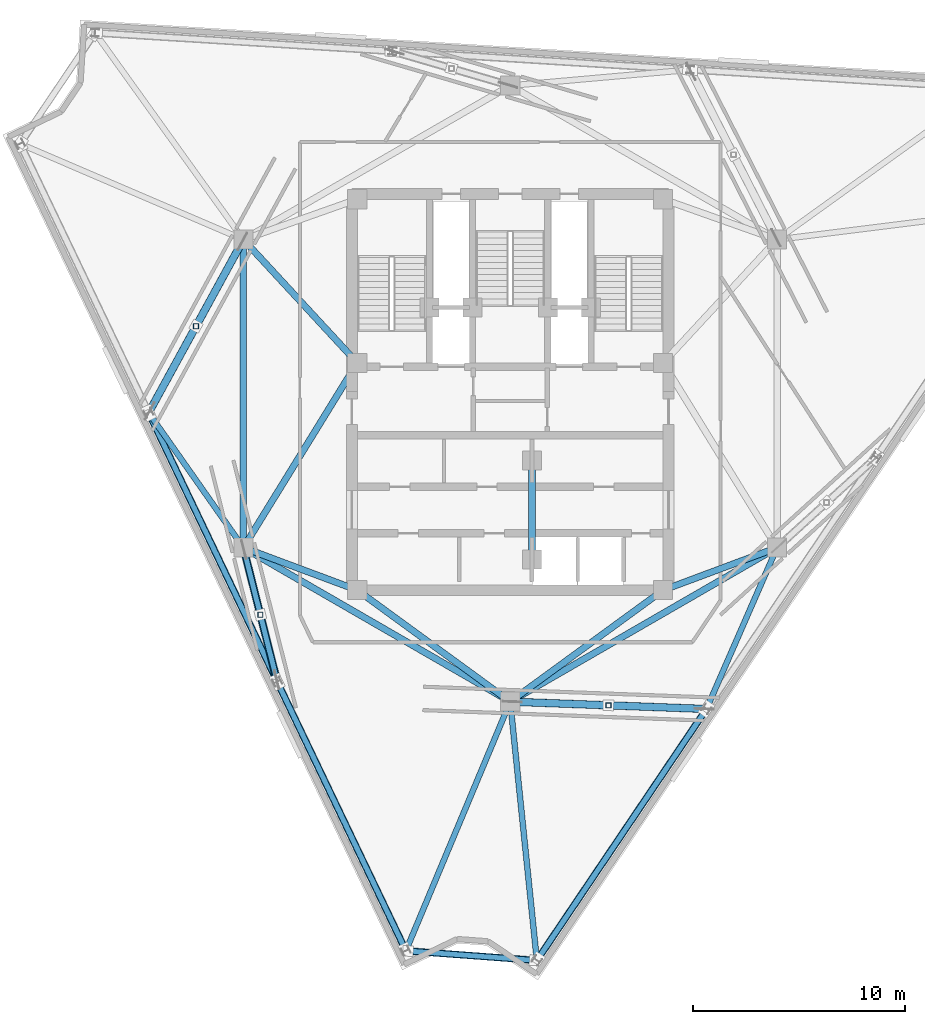
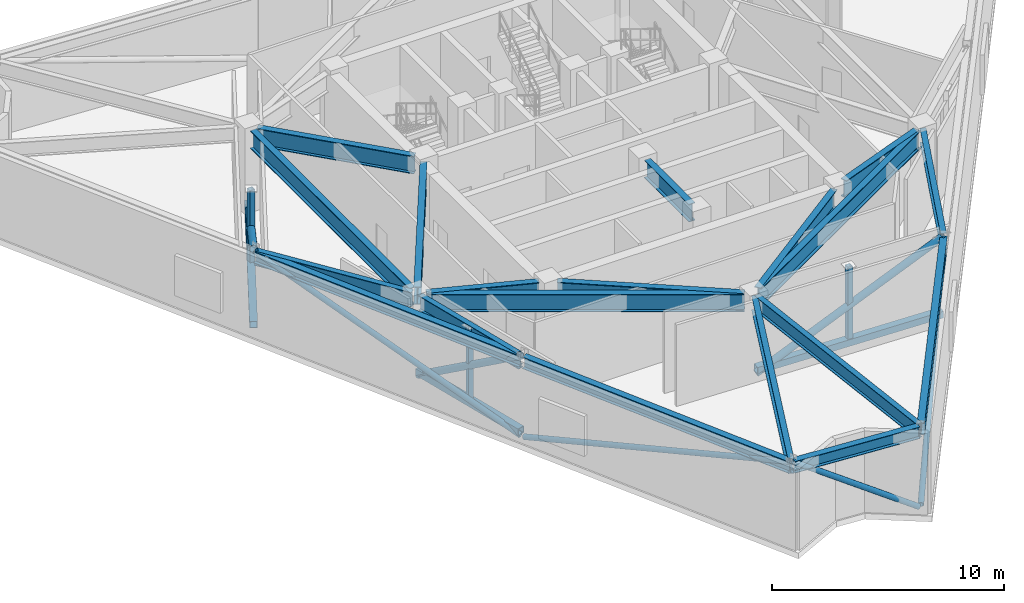
# One storey, part 4 of 11: 19 beams, 13 members.
"""IFC4 building model written with IfcOpenShell, lengths in metres."""

from ifc_helpers import new_model, si_unit, direction, frame, origin, origin_2d, place, context, subcontext, project, spatial, hollow_rectangle, hollow_circle, i_section, extrude, material, material_profile, profile_set, type_object, element, save


model = new_model("IFC4")

# Units and contexts
model_context = context("Model", 3, precision=1e-05, world=origin(), true_north=direction((0.0, 1.0)))
body_context = subcontext(model_context, "Body", "Model", "MODEL_VIEW")
ifc_project = project(units=[si_unit("LENGTHUNIT", "METRE"), si_unit("AREAUNIT", "SQUARE_METRE"), si_unit("VOLUMEUNIT", "CUBIC_METRE"), si_unit("PLANEANGLEUNIT", "RADIAN"), si_unit("MASSUNIT", "GRAM", prefix="KILO")], contexts=[model_context])

# Site, building, storey
site_placement = place(None, origin())
site = spatial("IfcSite", under=ifc_project, at=site_placement, CompositionType="ELEMENT")
building_placement = place(site_placement, origin())
building = spatial("IfcBuilding", under=site, at=building_placement, Name="Apsidion Concourse Tower", CompositionType="ELEMENT")
storey_placement = place(building_placement, frame((0.0, 0.0, 328.0)))
storey = spatial("IfcBuildingStorey", under=building, at=storey_placement, Name="L77", CompositionType="ELEMENT", Elevation=328.0)

# Beams
ifc_material_1 = material(Name="Structural steel ASTM A992 Grade 50", Category="steel")
ifc_material_profile_1 = material_profile(ifc_material_1, i_section(OverallWidth=0.31005859375, OverallDepth=0.931884765625, WebThickness=0.02099609375, FlangeThickness=0.034423828125, at=origin_2d()), Name="W36X210")
ifc_profile_set_1 = profile_set([ifc_material_profile_1], Name="Structural steel ASTM A992 Grade 50")
beam_type_1 = type_object("IfcBeamType", Name="BM-G-W36", PredefinedType="USERDEFINED", material=ifc_profile_set_1)
beam_1_placement = place(storey_placement, frame((-12.185302734375, -7.389892578125, 3.81396484375), z_axis=(0.936913021145, -0.349562570664, 0.0), x_axis=(0.349562570664, 0.936913021145, 0.0)))
element("IfcBeam", 1, at=beam_1_placement, inside=storey, type_object=beam_type_1, Name="L77 Core Coupling Girder IC1-SC1", ObjectType="GIRDER", PredefinedType="USERDEFINED", context=body_context, shape_type="SweptSolid", body=[
    extrude(i_section(OverallWidth=0.31005859375, OverallDepth=0.931884765625, WebThickness=0.02099609375, FlangeThickness=0.034423828125, at=origin_2d()), origin(), (0.0, 0.0, 1.0), 4.921142578125),
])
beam_2_placement = place(storey_placement, frame((-12.35009765625, -6.909423828125, 3.81396484375), z_axis=(0.524524009763, 0.851395656074, 0.0), x_axis=(-0.851395656074, 0.524524009763, 0.0)))
element("IfcBeam", 2, at=beam_2_placement, inside=storey, type_object=beam_type_1, Name="L77 Core Coupling Girder IC1-SC6", ObjectType="GIRDER", PredefinedType="USERDEFINED", context=body_context, shape_type="SweptSolid", body=[
    extrude(i_section(OverallWidth=0.31005859375, OverallDepth=0.931884765625, WebThickness=0.02099609375, FlangeThickness=0.034423828125, at=origin_2d()), origin(), (0.0, 0.0, 1.0), 9.41845703125),
])
beam_3_placement = place(storey_placement, frame((12.185302734375, -7.389892578125, 3.81396484375), z_axis=(-0.936913021145, -0.349562570664, 0.0), x_axis=(0.349562570664, -0.936913021145, 0.0)))
element("IfcBeam", 3, at=beam_3_placement, inside=storey, type_object=beam_type_1, Name="L77 Core Coupling Girder IC2-SC2", ObjectType="GIRDER", PredefinedType="USERDEFINED", context=body_context, shape_type="SweptSolid", body=[
    extrude(i_section(OverallWidth=0.31005859375, OverallDepth=0.931884765625, WebThickness=0.02099609375, FlangeThickness=0.034423828125, at=origin_2d()), origin(), (0.0, 0.0, 1.0), 4.921142578125),
])
beam_4_placement = place(storey_placement, frame((-12.28857421875, 6.956298828125, 3.81396484375), z_axis=(0.678712876106, -0.73440372535, 0.0), x_axis=(0.73440372535, 0.678712876106, 0.0)))
element("IfcBeam", 4, at=beam_4_placement, inside=storey, type_object=beam_type_1, Name="L77 Core Coupling Girder IC5-SC6", ObjectType="GIRDER", PredefinedType="USERDEFINED", context=body_context, shape_type="SweptSolid", body=[
    extrude(i_section(OverallWidth=0.31005859375, OverallDepth=0.931884765625, WebThickness=0.02099609375, FlangeThickness=0.034423828125, at=origin_2d()), origin(), (0.0, 0.0, 1.0), 7.097412109375),
])
for number, where, z_axis, x_axis, name in (
    (5, (-0.3232421875, -14.264404296875, 3.81396484375), (-0.807993498909, 0.589191399905, 0.0), (-0.589191399905, -0.807993498909, 0.0), "L77 Core Coupling Girder IC6-SC1"),
    (6, (0.3232421875, -14.264404296875, 3.81396484375), (0.807993498909, 0.589191399905, 0.0), (-0.589191399905, 0.807993498909, 0.0), "L77 Core Coupling Girder IC6-SC2"),
):
    element("IfcBeam", number, at=place(storey_placement, frame(where, z_axis=z_axis, x_axis=x_axis)), inside=storey, type_object=beam_type_1, Name=name, ObjectType="GIRDER", PredefinedType="USERDEFINED", context=body_context, shape_type="SweptSolid", body=[
        extrude(i_section(OverallWidth=0.31005859375, OverallDepth=0.931884765625, WebThickness=0.02099609375, FlangeThickness=0.034423828125, at=origin_2d()), origin(), (0.0, 0.0, 1.0), 8.11083984375),
    ])
beam_5_placement = place(storey_placement, frame((-12.56005859375, -6.85009765625, 3.81396484375), z_axis=(0.0, 1.0, 0.0), x_axis=(-1.0, 0.0, 0.0)))
element("IfcBeam", 7, at=beam_5_placement, inside=storey, type_object=beam_type_1, Name="L77 Core Coupling Girder IC1-IC5", ObjectType="GIRDER", PredefinedType="USERDEFINED", context=body_context, shape_type="SweptSolid", body=[
    extrude(i_section(OverallWidth=0.31005859375, OverallDepth=0.931884765625, WebThickness=0.02099609375, FlangeThickness=0.034423828125, at=origin_2d()), origin(), (0.0, 0.0, 1.0), 13.7001953125),
])
for number, where, z_axis, x_axis, name in (
    (8, (12.213623046875, -7.449951171875, 3.81396484375), (-0.866070471464, -0.499921932364, 0.0), (0.499921932364, -0.866070471464, 0.0), "L77 Core Coupling Girder IC2-IC6"),
    (9, (-0.346435546875, -14.300048828125, 3.81396484375), (-0.866070471464, 0.499921932364, 0.0), (-0.499921932364, -0.866070471464, 0.0), "L77 Core Coupling Girder IC6-IC1"),
):
    element("IfcBeam", number, at=place(storey_placement, frame(where, z_axis=z_axis, x_axis=x_axis)), inside=storey, type_object=beam_type_1, Name=name, ObjectType="GIRDER", PredefinedType="USERDEFINED", context=body_context, shape_type="SweptSolid", body=[
        extrude(i_section(OverallWidth=0.31005859375, OverallDepth=0.931884765625, WebThickness=0.02099609375, FlangeThickness=0.034423828125, at=origin_2d()), origin(), (0.0, 0.0, 1.0), 13.702392578125),
    ])
beam_6_placement = place(storey_placement, frame((1.02490234375, -3.550048828125, 3.81396484375), z_axis=(0.0, -1.0, 0.0), x_axis=(1.0, 0.0, 0.0)))
element("IfcBeam", 10, at=beam_6_placement, inside=storey, type_object=beam_type_1, Name="L77 Core Coupling Girder CC5-CC6", ObjectType="GIRDER", PredefinedType="USERDEFINED", context=body_context, shape_type="SweptSolid", body=[
    extrude(i_section(OverallWidth=0.31005859375, OverallDepth=0.931884765625, WebThickness=0.02099609375, FlangeThickness=0.034423828125, at=origin_2d()), origin(), (0.0, 0.0, 1.0), 3.849853515625),
])
ifc_material_profile_2 = material_profile(ifc_material_1, i_section(OverallWidth=0.324951171875, OverallDepth=0.616943359375, WebThickness=0.013916015625, FlangeThickness=0.021484375, at=origin_2d()), Name="W24X117")
ifc_profile_set_2 = profile_set([ifc_material_profile_2], Name="Structural steel ASTM A992 Grade 50")
beam_type_2 = type_object("IfcBeamType", Name="BM-SP-W24", PredefinedType="SPANDREL", material=ifc_profile_set_2)
beam_7_placement = place(storey_placement, frame((-16.976318359375, -0.993408203125, 3.971435546875), z_axis=(0.43136744944, -0.902176326204, 0.0), x_axis=(0.902176326204, 0.43136744944, 0.0)))
element("IfcBeam", 11, at=beam_7_placement, inside=storey, type_object=beam_type_2, Name="L77 Perimeter Spandrel Girder SP-02", PredefinedType="SPANDREL", context=body_context, shape_type="SweptSolid", body=[
    extrude(i_section(OverallWidth=0.324951171875, OverallDepth=0.616943359375, WebThickness=0.013916015625, FlangeThickness=0.021484375, at=origin_2d()), origin(), (0.0, 0.0, 1.0), 13.83447265625),
])
beam_8_placement = place(storey_placement, frame((-10.92236328125, -13.655029296875, 3.971435546875), z_axis=(0.431360581796, -0.902179609874, 0.0), x_axis=(0.902179609874, 0.431360581796, 0.0)))
element("IfcBeam", 12, at=beam_8_placement, inside=storey, type_object=beam_type_2, Name="L77 Perimeter Spandrel Girder SP-03", PredefinedType="SPANDREL", context=body_context, shape_type="SweptSolid", body=[
    extrude(i_section(OverallWidth=0.324951171875, OverallDepth=0.616943359375, WebThickness=0.013916015625, FlangeThickness=0.021484375, at=origin_2d()), origin(), (0.0, 0.0, 1.0), 13.834716796875),
])
beam_9_placement = place(storey_placement, frame((-4.81201171875, -26.234130859375, 3.971435546875), z_axis=(0.997286428853, -0.073619147134, 0.0), x_axis=(0.073619147134, 0.997286428853, 0.0)))
element("IfcBeam", 13, at=beam_9_placement, inside=storey, type_object=beam_type_2, Name="L77 Perimeter Spandrel Girder SP-04", PredefinedType="SPANDREL", context=body_context, shape_type="SweptSolid", body=[
    extrude(i_section(OverallWidth=0.324951171875, OverallDepth=0.616943359375, WebThickness=0.013916015625, FlangeThickness=0.021484375, at=origin_2d()), origin(), (0.0, 0.0, 1.0), 5.982421875),
])
beam_10_placement = place(storey_placement, frame((1.309814453125, -26.59912109375, 3.971435546875), z_axis=(0.559201815781, 0.829031561056, 0.0), x_axis=(-0.829031561056, 0.559201815781, 0.0)))
element("IfcBeam", 14, at=beam_10_placement, inside=storey, type_object=beam_type_2, Name="L77 Perimeter Spandrel Girder SP-05", PredefinedType="SPANDREL", context=body_context, shape_type="SweptSolid", body=[
    extrude(i_section(OverallWidth=0.324951171875, OverallDepth=0.616943359375, WebThickness=0.013916015625, FlangeThickness=0.021484375, at=origin_2d()), origin(), (0.0, 0.0, 1.0), 14.07958984375),
])
ifc_material_profile_3 = material_profile(ifc_material_1, i_section(OverallWidth=0.26806640625, OverallDepth=0.77001953125, WebThickness=0.015625, FlangeThickness=0.025390625, at=origin_2d()), Name="W30X132")
ifc_profile_set_3 = profile_set([ifc_material_profile_3], Name="Structural steel ASTM A992 Grade 50")
beam_type_3 = type_object("IfcBeamType", Name="BM-SP-W30", PredefinedType="SPANDREL", material=ifc_profile_set_3)
beam_11_placement = place(storey_placement, frame((-12.6865234375, -7.070068359375, 3.89501953125), z_axis=(-0.574897998258, 0.818225086146, 0.0), x_axis=(-0.818225086146, -0.574897998258, 0.0)))
element("IfcBeam", 15, at=beam_11_placement, inside=storey, type_object=beam_type_3, Name="L77 Radial Floor Girder RAD-02", PredefinedType="SPANDREL", context=body_context, shape_type="SweptSolid", body=[
    extrude(i_section(OverallWidth=0.26806640625, OverallDepth=0.77001953125, WebThickness=0.015625, FlangeThickness=0.025390625, at=origin_2d()), origin(), (0.0, 0.0, 1.0), 7.436767578125),
])
beam_12_placement = place(storey_placement, frame((-12.506103515625, -7.46337890625, 3.89501953125), z_axis=(0.244807492941, -0.969571705136, 0.0), x_axis=(0.969571705136, 0.244807492941, 0.0)))
element("IfcBeam", 16, at=beam_12_placement, inside=storey, type_object=beam_type_3, Name="L77 Radial Floor Girder RAD-03", PredefinedType="SPANDREL", context=body_context, shape_type="SweptSolid", body=[
    extrude(i_section(OverallWidth=0.26806640625, OverallDepth=0.77001953125, WebThickness=0.015625, FlangeThickness=0.025390625, at=origin_2d()), origin(), (0.0, 0.0, 1.0), 6.193115234375),
])
beam_13_placement = place(storey_placement, frame((-0.0849609375, -14.702880859375, 3.89501953125), z_axis=(-0.386326743156, -0.922361993755, 0.0), x_axis=(0.922361993755, -0.386326743156, 0.0)))
element("IfcBeam", 17, at=beam_13_placement, inside=storey, type_object=beam_type_3, Name="L77 Radial Floor Girder RAD-04", PredefinedType="SPANDREL", context=body_context, shape_type="SweptSolid", body=[
    extrude(i_section(OverallWidth=0.26806640625, OverallDepth=0.77001953125, WebThickness=0.015625, FlangeThickness=0.025390625, at=origin_2d()), origin(), (0.0, 0.0, 1.0), 12.393798828125),
])
beam_14_placement = place(storey_placement, frame((0.0224609375, -14.71875, 3.89501953125), z_axis=(0.10241374793, -0.994741888248, 0.0), x_axis=(0.994741888248, 0.10241374793, 0.0)))
element("IfcBeam", 18, at=beam_14_placement, inside=storey, type_object=beam_type_3, Name="L77 Radial Floor Girder RAD-05", PredefinedType="SPANDREL", context=body_context, shape_type="SweptSolid", body=[
    extrude(i_section(OverallWidth=0.26806640625, OverallDepth=0.77001953125, WebThickness=0.015625, FlangeThickness=0.025390625, at=origin_2d()), origin(), (0.0, 0.0, 1.0), 11.926513671875),
])
beam_15_placement = place(storey_placement, frame((12.4716796875, -7.45166015625, 3.89501953125), z_axis=(-0.400675776745, -0.916219909154, 0.0), x_axis=(0.916219909154, -0.400675776745, 0.0)))
element("IfcBeam", 19, at=beam_15_placement, inside=storey, type_object=beam_type_3, Name="L77 Radial Floor Girder RAD-06", PredefinedType="SPANDREL", context=body_context, shape_type="SweptSolid", body=[
    extrude(i_section(OverallWidth=0.26806640625, OverallDepth=0.77001953125, WebThickness=0.015625, FlangeThickness=0.025390625, at=origin_2d()), origin(), (0.0, 0.0, 1.0), 7.968017578125),
])

# Members
ifc_material_2 = material(Name="Structural steel ASTM A500 Grade C", Category="steel")
ifc_material_profile_4 = material_profile(ifc_material_2, hollow_circle(Radius=0.136474609375, WallThickness=0.01611328125, at=origin_2d()), Name="CHS273X16")
ifc_profile_set_4 = profile_set([ifc_material_profile_4], Name="Structural steel ASTM A500 Grade C")
member_type_1 = type_object("IfcMemberType", Name="MB-BR-CHS273", PredefinedType="BRACE", material=ifc_profile_set_4)
member_1_placement = place(storey_placement, frame((-11.008544921875, -13.474609375, 0.0), z_axis=(-0.412931391996, 0.863618538415, 0.289224282538), x_axis=(-0.902176326204, -0.43136744944, 0.0)))
element("IfcMember", 20, at=member_1_placement, inside=storey, type_object=member_type_1, Name="L77 Perimeter Belt-Truss Diagonal BT-02", PredefinedType="BRACE", context=body_context, shape_type="SweptSolid", body=[
    extrude(hollow_circle(Radius=0.136474609375, WallThickness=0.01611328125, at=origin_2d()), origin(), (0.0, 0.0, 1.0), 14.4521484375),
])
member_2_placement = place(storey_placement, frame((-10.92236328125, -13.655029296875, 0.0), z_axis=(0.412925367784, -0.863622831886, 0.289220063076), x_axis=(0.902179609874, 0.431360581796, 0.0)))
element("IfcMember", 21, at=member_2_placement, inside=storey, type_object=member_type_1, Name="L77 Perimeter Belt-Truss Diagonal BT-03", PredefinedType="BRACE", context=body_context, shape_type="SweptSolid", body=[
    extrude(hollow_circle(Radius=0.136474609375, WallThickness=0.01611328125, at=origin_2d()), origin(), (0.0, 0.0, 1.0), 14.452392578125),
])
member_3_placement = place(storey_placement, frame((1.154296875, -26.674560546875, 0.0), z_axis=(-0.817512397609, 0.060348324957, 0.572740394446), x_axis=(-0.073619147134, -0.997286428853, 0.0)))
element("IfcMember", 22, at=member_3_placement, inside=storey, type_object=member_type_1, Name="L77 Perimeter Belt-Truss Diagonal BT-04", PredefinedType="BRACE", context=body_context, shape_type="SweptSolid", body=[
    extrude(hollow_circle(Radius=0.136474609375, WallThickness=0.01611328125, at=origin_2d()), origin(), (0.0, 0.0, 1.0), 7.298095703125),
])
member_4_placement = place(storey_placement, frame((1.309814453125, -26.59912109375, 0.0), z_axis=(0.536076286373, 0.794747348801, 0.284602998511), x_axis=(-0.829031561056, 0.559201815781, 0.0)))
element("IfcMember", 23, at=member_4_placement, inside=storey, type_object=member_type_1, Name="L77 Perimeter Belt-Truss Diagonal BT-05", PredefinedType="BRACE", context=body_context, shape_type="SweptSolid", body=[
    extrude(hollow_circle(Radius=0.136474609375, WallThickness=0.01611328125, at=origin_2d()), origin(), (0.0, 0.0, 1.0), 14.686767578125),
])
ifc_material_profile_5 = material_profile(ifc_material_2, hollow_circle(Radius=0.177978515625, WallThickness=0.02001953125, at=origin_2d()), Name="CHS356X20")
ifc_profile_set_5 = profile_set([ifc_material_profile_5], Name="Structural steel ASTM A500 Grade C")
member_type_2 = type_object("IfcMemberType", Name="MB-BR-CHS356", PredefinedType="BRACE", material=ifc_profile_set_5)
member_5_placement = place(storey_placement, frame((-12.535400390625, -7.346923828125, 0.0), z_axis=(0.204108320161, -0.808436619758, 0.552059802444), x_axis=(0.969575724452, 0.244791573699, 0.0)))
element("IfcMember", 24, at=member_5_placement, inside=storey, type_object=member_type_2, Name="L77 Radial Outrigger Truss Diagonal OT-01", PredefinedType="BRACE", context=body_context, shape_type="SweptSolid", body=[
    extrude(hollow_circle(Radius=0.177978515625, WallThickness=0.02001953125, at=origin_2d()), origin(), (0.0, 0.0, 1.0), 7.571533203125),
])
member_6_placement = place(storey_placement, frame((-12.60791015625, 7.162353515625, 0.0), z_axis=(-0.436009954151, -0.797151976265, 0.417664993287), x_axis=(0.877339878787, -0.479869500063, 0.0)))
element("IfcMember", 25, at=member_6_placement, inside=storey, type_object=member_type_2, Name="L77 Radial Outrigger Truss Diagonal OT-05", PredefinedType="BRACE", context=body_context, shape_type="SweptSolid", body=[
    extrude(hollow_circle(Radius=0.177978515625, WallThickness=0.02001953125, at=origin_2d()), origin(), (0.0, 0.0, 1.0), 10.0078125),
])
member_7_placement = place(storey_placement, frame((0.099853515625, -14.503662109375, 0.0), z_axis=(0.907138190727, -0.03376195616, 0.419476379836), x_axis=(0.037192345625, 0.999308125368, 0.0)))
element("IfcMember", 26, at=member_7_placement, inside=storey, type_object=member_type_2, Name="L77 Radial Outrigger Truss Diagonal OT-06", PredefinedType="BRACE", context=body_context, shape_type="SweptSolid", body=[
    extrude(hollow_circle(Radius=0.177978515625, WallThickness=0.02001953125, at=origin_2d()), origin(), (0.0, 0.0, 1.0), 9.964599609375),
])
ifc_material_profile_6 = material_profile(ifc_material_2, hollow_rectangle(XDim=0.35009765625, YDim=0.35009765625, WallThickness=0.02197265625, at=origin_2d()), Name="HSS350X350X22")
ifc_profile_set_6 = profile_set([ifc_material_profile_6], Name="Structural steel ASTM A500 Grade C")
member_type_3 = type_object("IfcMemberType", Name="MB-CH-HSS350", PredefinedType="CHORD", material=ifc_profile_set_6)
member_8_placement = place(storey_placement, frame((-12.535400390625, -7.346923828125, 0.219970703125), z_axis=(0.244791573699, -0.969575724452, 0.0), x_axis=(0.969575724452, 0.244791573699, 0.0)))
element("IfcMember", 27, at=member_8_placement, inside=storey, type_object=member_type_3, Name="L77 Radial Outrigger Bottom Chord OTC-01", PredefinedType="CHORD", context=body_context, shape_type="SweptSolid", body=[
    extrude(hollow_rectangle(XDim=0.35009765625, YDim=0.35009765625, WallThickness=0.02197265625, at=origin_2d()), origin(), (0.0, 0.0, 1.0), 6.313232421875),
])
member_9_placement = place(storey_placement, frame((-12.60791015625, 7.162353515625, 0.219970703125), z_axis=(-0.479869500063, -0.877339878787, 0.0), x_axis=(0.877339878787, -0.479869500063, 0.0)))
element("IfcMember", 28, at=member_9_placement, inside=storey, type_object=member_type_3, Name="L77 Radial Outrigger Bottom Chord OTC-05", PredefinedType="CHORD", context=body_context, shape_type="SweptSolid", body=[
    extrude(hollow_rectangle(XDim=0.35009765625, YDim=0.35009765625, WallThickness=0.02197265625, at=origin_2d()), origin(), (0.0, 0.0, 1.0), 9.09326171875),
])
member_10_placement = place(storey_placement, frame((0.099853515625, -14.503662109375, 0.219970703125), z_axis=(0.999308125368, -0.037192345625, 0.0), x_axis=(0.037192345625, 0.999308125368, 0.0)))
element("IfcMember", 29, at=member_10_placement, inside=storey, type_object=member_type_3, Name="L77 Radial Outrigger Bottom Chord OTC-06", PredefinedType="CHORD", context=body_context, shape_type="SweptSolid", body=[
    extrude(hollow_rectangle(XDim=0.35009765625, YDim=0.35009765625, WallThickness=0.02197265625, at=origin_2d()), origin(), (0.0, 0.0, 1.0), 9.045654296875),
])
ifc_material_profile_7 = material_profile(ifc_material_2, hollow_rectangle(XDim=0.25, YDim=0.25, WallThickness=0.01611328125, at=origin_2d()), Name="HSS250X250X16")
ifc_profile_set_7 = profile_set([ifc_material_profile_7], Name="Structural steel ASTM A500 Grade C")
member_type_4 = type_object("IfcMemberType", Name="MB-ST-HSS250", PredefinedType="STRUT", material=ifc_profile_set_7)
for number, where, z_axis, x_axis, name in (
    (30, (-11.7626953125, -10.407470703125, 0.219970703125), (0.0, 0.0, 1.0), (1.0, 0.0, 0.0), "L77 Outrigger Truss Compression Strut OTV-01"),
    (31, (-14.789794921875, 3.17333984375, 0.219970703125), (0.0, 0.0, 1.0), (1.0, 0.0, 0.0), "L77 Outrigger Truss Compression Strut OTV-05"),
    (32, (4.619384765625, -14.671875, 0.219970703125), (0.0, 0.0, 1.0), (1.0, 0.0, 0.0), "L77 Outrigger Truss Compression Strut OTV-06"),
):
    element("IfcMember", number, at=place(storey_placement, frame(where, z_axis=z_axis, x_axis=x_axis)), inside=storey, type_object=member_type_4, Name=name, PredefinedType="STRUT", context=body_context, shape_type="SweptSolid", body=[
        extrude(hollow_rectangle(XDim=0.25, YDim=0.25, WallThickness=0.01611328125, at=origin_2d()), origin(), (0.0, 0.0, 1.0), 3.9599609375),
    ])

save(model, "model.ifc")
